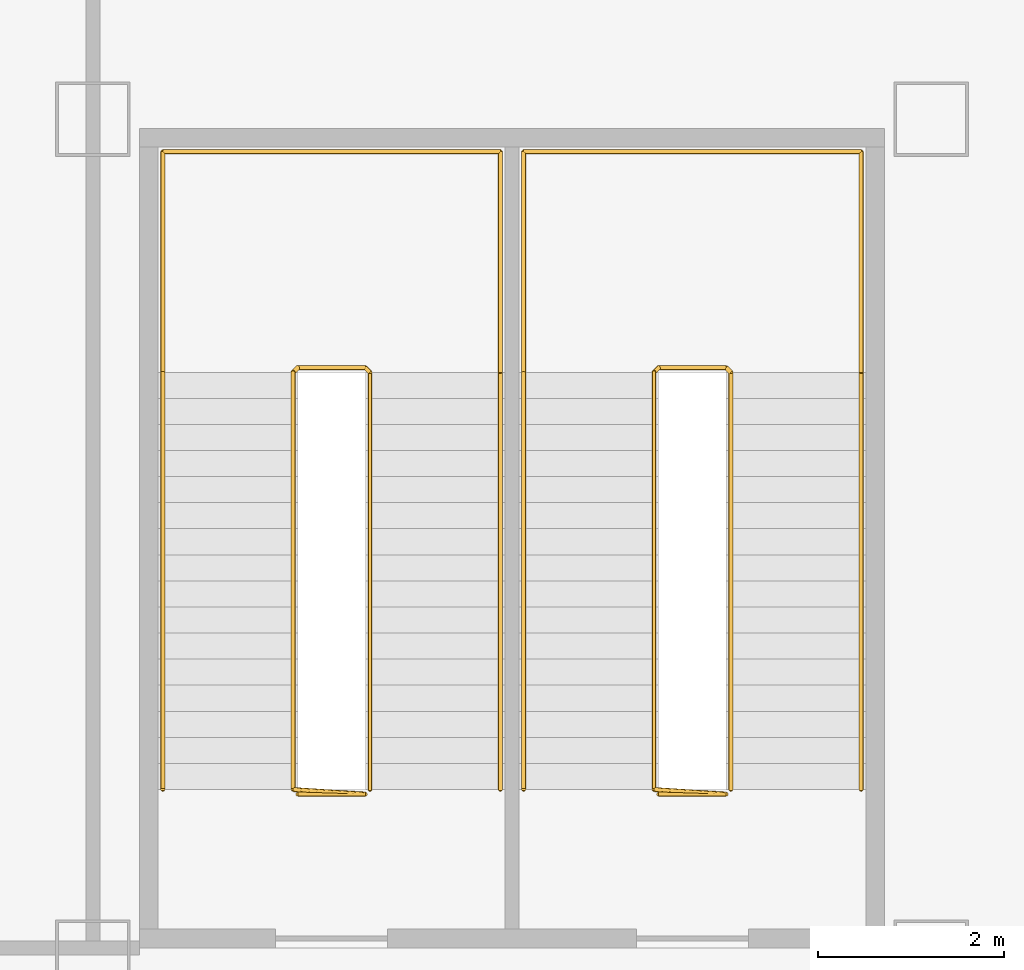
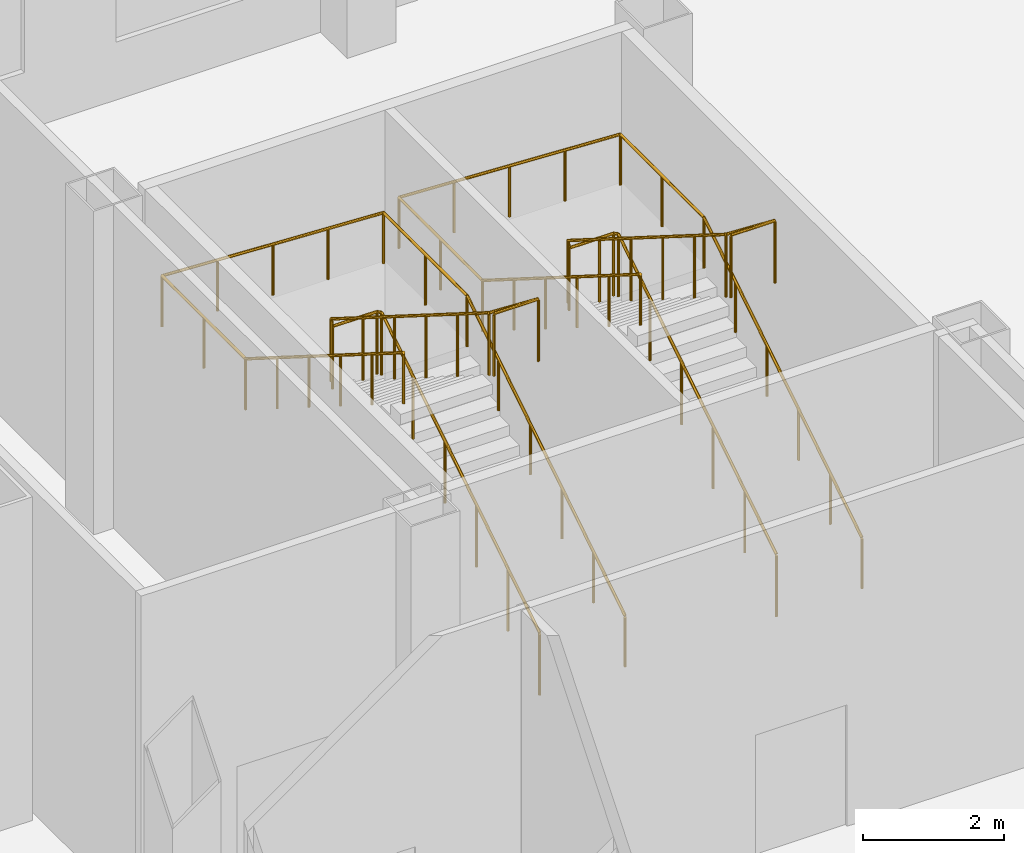
# One storey, part 33 of 33: 4 railings.
"""IFC4 building model written with IfcOpenShell, lengths in metres."""

from ifc_helpers import new_model, si_unit, direction, frame, origin, origin_2d, place, context, subcontext, project, spatial, circle, extrude, material, type_object, element, save


model = new_model("IFC4")

# Units and contexts
model_context = context("Model", 3, precision=1e-05, world=origin(), true_north=direction((0.0, 1.0)))
body_context = subcontext(model_context, "Body", "Model", "MODEL_VIEW")
ifc_project = project(units=[si_unit("LENGTHUNIT", "METRE"), si_unit("AREAUNIT", "SQUARE_METRE"), si_unit("VOLUMEUNIT", "CUBIC_METRE"), si_unit("PLANEANGLEUNIT", "RADIAN"), si_unit("MASSUNIT", "GRAM", prefix="KILO")], contexts=[model_context])

# Site, building, storey
site_placement = place(None, origin())
site = spatial("IfcSite", under=ifc_project, at=site_placement, CompositionType="ELEMENT")
building_placement = place(site_placement, origin())
building = spatial("IfcBuilding", under=site, at=building_placement, Name="Shamsa Quay Exchange Towers", CompositionType="ELEMENT")
storey_placement = place(building_placement, frame((0.0, 0.0, 6.5)))
storey = spatial("IfcBuildingStorey", under=building, at=storey_placement, Name="L01", CompositionType="ELEMENT", Elevation=6.5)

# Railings
ifc_material = material(Name="Stainless steel", Category="steel")
railing_type_1 = type_object("IfcRailingType", Name="STAIR GUARD 1100", PredefinedType="GUARDRAIL", material=ifc_material)
railing_1_placement = place(storey_placement, frame((47.97509765625, 17.550048828125, 0.176513671875)))
element("IfcRailing", 1, at=railing_1_placement, inside=storey, type_object=railing_type_1, Name="L01 PS4A stair guard 1", PredefinedType="GUARDRAIL", context=body_context, shape_type="SweptSolid", body=[
    extrude(circle(Radius=0.02392578125, at=origin_2d()), frame((0.0, 0.0, 1.076171875), z_axis=(0.0, 0.845997938375, 0.533186166611), x_axis=(-1.0, 0.0, 0.0)), (0.0, 0.0, 1.0), 5.29541015625),
    extrude(circle(Radius=0.02392578125, at=origin_2d()), frame((0.0, 4.47998046875, 3.8994140625), z_axis=(-0.707106781187, 0.707106781187, 0.0), x_axis=(-0.707106781187, -0.707106781187, 0.0)), (0.0, 0.0, 1.0), 0.07080078125),
    extrude(circle(Radius=0.02392578125, at=origin_2d()), frame((-0.050048828125, 4.530029296875, 3.8994140625), z_axis=(-1.0, 0.0, 0.0), x_axis=(0.0, -1.0, 0.0)), (0.0, 0.0, 1.0), 0.72509765625),
    extrude(circle(Radius=0.02392578125, at=origin_2d()), frame((-0.775146484375, 4.530029296875, 3.8994140625), z_axis=(-0.263171338983, -0.263171338983, 0.928160380902), x_axis=(0.707106781187, -0.707106781187, 0.0)), (0.0, 0.0, 1.0), 0.190185546875),
    extrude(circle(Radius=0.02392578125, at=origin_2d()), frame((-0.8251953125, 4.47998046875, 4.076171875), z_axis=(0.0, -0.845997938375, 0.533186166611), x_axis=(1.0, 0.0, 0.0)), (0.0, 0.0, 1.0), 5.29541015625),
    extrude(circle(Radius=0.02392578125, at=origin_2d()), frame((-0.8251953125, 0.0, 6.8994140625), z_axis=(0.997922050633, -0.064432762324, 0.0), x_axis=(0.064432762324, 0.997922050633, 0.0)), (0.0, 0.0, 1.0), 0.77685546875),
    extrude(circle(Radius=0.02392578125, at=origin_2d()), frame((-0.050048828125, -0.050048828125, 6.8994140625), z_axis=(-1.0, 0.0, 0.0), x_axis=(0.0, -1.0, 0.0)), (0.0, 0.0, 1.0), 0.72509765625),
    extrude(circle(Radius=0.02099609375, at=origin_2d()), origin(), (0.0, 0.0, 1.0), 1.052001953125),
    extrude(circle(Radius=0.02099609375, at=origin_2d()), frame((0.0, 0.89599609375, 0.564697265625)), (0.0, 0.0, 1.0), 1.052001953125),
    extrude(circle(Radius=0.02099609375, at=origin_2d()), frame((0.0, 1.7919921875, 1.12939453125)), (0.0, 0.0, 1.0), 1.052001953125),
    extrude(circle(Radius=0.02099609375, at=origin_2d()), frame((0.0, 2.68798828125, 1.694091796875)), (0.0, 0.0, 1.0), 1.052001953125),
    extrude(circle(Radius=0.02099609375, at=origin_2d()), frame((0.0, 3.583984375, 2.2587890625)), (0.0, 0.0, 1.0), 1.052001953125),
    extrude(circle(Radius=0.02099609375, at=origin_2d()), frame((0.0, 4.47998046875, 2.823486328125)), (0.0, 0.0, 1.0), 1.052001953125),
    extrude(circle(Radius=0.02099609375, at=origin_2d()), frame((-0.050048828125, 4.530029296875, 2.823486328125)), (0.0, 0.0, 1.0), 1.052001953125),
    extrude(circle(Radius=0.02099609375, at=origin_2d()), frame((-0.775146484375, 4.530029296875, 2.823486328125)), (0.0, 0.0, 1.0), 1.052001953125),
    extrude(circle(Radius=0.02099609375, at=origin_2d()), frame((-0.8251953125, 4.47998046875, 3.0)), (0.0, 0.0, 1.0), 1.052001953125),
    extrude(circle(Radius=0.02099609375, at=origin_2d()), frame((-0.8251953125, 3.583984375, 3.564697265625)), (0.0, 0.0, 1.0), 1.052001953125),
    extrude(circle(Radius=0.02099609375, at=origin_2d()), frame((-0.8251953125, 2.68798828125, 4.12939453125)), (0.0, 0.0, 1.0), 1.052001953125),
    extrude(circle(Radius=0.02099609375, at=origin_2d()), frame((-0.8251953125, 1.7919921875, 4.694091796875)), (0.0, 0.0, 1.0), 1.052001953125),
    extrude(circle(Radius=0.02099609375, at=origin_2d()), frame((-0.8251953125, 0.89599609375, 5.2587890625)), (0.0, 0.0, 1.0), 1.052001953125),
    extrude(circle(Radius=0.02099609375, at=origin_2d()), frame((-0.8251953125, 0.0, 5.823486328125)), (0.0, 0.0, 1.0), 1.052001953125),
    extrude(circle(Radius=0.02099609375, at=origin_2d()), frame((-0.050048828125, -0.050048828125, 5.823486328125)), (0.0, 0.0, 1.0), 1.052001953125),
    extrude(circle(Radius=0.02099609375, at=origin_2d()), frame((-0.775146484375, -0.050048828125, 5.823486328125)), (0.0, 0.0, 1.0), 1.052001953125),
])
railing_2_placement = place(storey_placement, frame((51.85009765625, 17.550048828125, 0.176513671875)))
element("IfcRailing", 2, at=railing_2_placement, inside=storey, type_object=railing_type_1, Name="L01 PS4B stair guard 1", PredefinedType="GUARDRAIL", context=body_context, shape_type="SweptSolid", body=[
    extrude(circle(Radius=0.02392578125, at=origin_2d()), frame((0.0, 0.0, 1.076171875), z_axis=(0.0, 0.845997938375, 0.533186166611), x_axis=(-1.0, 0.0, 0.0)), (0.0, 0.0, 1.0), 5.29541015625),
    extrude(circle(Radius=0.02392578125, at=origin_2d()), frame((0.0, 4.47998046875, 3.8994140625), z_axis=(-0.707106781187, 0.707106781187, 0.0), x_axis=(-0.707106781187, -0.707106781187, 0.0)), (0.0, 0.0, 1.0), 0.07080078125),
    extrude(circle(Radius=0.02392578125, at=origin_2d()), frame((-0.050048828125, 4.530029296875, 3.8994140625), z_axis=(-1.0, 0.0, 0.0), x_axis=(0.0, -1.0, 0.0)), (0.0, 0.0, 1.0), 0.72509765625),
    extrude(circle(Radius=0.02392578125, at=origin_2d()), frame((-0.775146484375, 4.530029296875, 3.8994140625), z_axis=(-0.263171338983, -0.263171338983, 0.928160380902), x_axis=(0.707106781187, -0.707106781187, 0.0)), (0.0, 0.0, 1.0), 0.190185546875),
    extrude(circle(Radius=0.02392578125, at=origin_2d()), frame((-0.8251953125, 4.47998046875, 4.076171875), z_axis=(0.0, -0.845997938375, 0.533186166611), x_axis=(1.0, 0.0, 0.0)), (0.0, 0.0, 1.0), 5.29541015625),
    extrude(circle(Radius=0.02392578125, at=origin_2d()), frame((-0.8251953125, 0.0, 6.8994140625), z_axis=(0.997922050633, -0.064432762324, 0.0), x_axis=(0.064432762324, 0.997922050633, 0.0)), (0.0, 0.0, 1.0), 0.77685546875),
    extrude(circle(Radius=0.02392578125, at=origin_2d()), frame((-0.050048828125, -0.050048828125, 6.8994140625), z_axis=(-1.0, 0.0, 0.0), x_axis=(0.0, -1.0, 0.0)), (0.0, 0.0, 1.0), 0.72509765625),
    extrude(circle(Radius=0.02099609375, at=origin_2d()), origin(), (0.0, 0.0, 1.0), 1.052001953125),
    extrude(circle(Radius=0.02099609375, at=origin_2d()), frame((0.0, 0.89599609375, 0.564697265625)), (0.0, 0.0, 1.0), 1.052001953125),
    extrude(circle(Radius=0.02099609375, at=origin_2d()), frame((0.0, 1.7919921875, 1.12939453125)), (0.0, 0.0, 1.0), 1.052001953125),
    extrude(circle(Radius=0.02099609375, at=origin_2d()), frame((0.0, 2.68798828125, 1.694091796875)), (0.0, 0.0, 1.0), 1.052001953125),
    extrude(circle(Radius=0.02099609375, at=origin_2d()), frame((0.0, 3.583984375, 2.2587890625)), (0.0, 0.0, 1.0), 1.052001953125),
    extrude(circle(Radius=0.02099609375, at=origin_2d()), frame((0.0, 4.47998046875, 2.823486328125)), (0.0, 0.0, 1.0), 1.052001953125),
    extrude(circle(Radius=0.02099609375, at=origin_2d()), frame((-0.050048828125, 4.530029296875, 2.823486328125)), (0.0, 0.0, 1.0), 1.052001953125),
    extrude(circle(Radius=0.02099609375, at=origin_2d()), frame((-0.775146484375, 4.530029296875, 2.823486328125)), (0.0, 0.0, 1.0), 1.052001953125),
    extrude(circle(Radius=0.02099609375, at=origin_2d()), frame((-0.8251953125, 4.47998046875, 3.0)), (0.0, 0.0, 1.0), 1.052001953125),
    extrude(circle(Radius=0.02099609375, at=origin_2d()), frame((-0.8251953125, 3.583984375, 3.564697265625)), (0.0, 0.0, 1.0), 1.052001953125),
    extrude(circle(Radius=0.02099609375, at=origin_2d()), frame((-0.8251953125, 2.68798828125, 4.12939453125)), (0.0, 0.0, 1.0), 1.052001953125),
    extrude(circle(Radius=0.02099609375, at=origin_2d()), frame((-0.8251953125, 1.7919921875, 4.694091796875)), (0.0, 0.0, 1.0), 1.052001953125),
    extrude(circle(Radius=0.02099609375, at=origin_2d()), frame((-0.8251953125, 0.89599609375, 5.2587890625)), (0.0, 0.0, 1.0), 1.052001953125),
    extrude(circle(Radius=0.02099609375, at=origin_2d()), frame((-0.8251953125, 0.0, 5.823486328125)), (0.0, 0.0, 1.0), 1.052001953125),
    extrude(circle(Radius=0.02099609375, at=origin_2d()), frame((-0.050048828125, -0.050048828125, 5.823486328125)), (0.0, 0.0, 1.0), 1.052001953125),
    extrude(circle(Radius=0.02099609375, at=origin_2d()), frame((-0.775146484375, -0.050048828125, 5.823486328125)), (0.0, 0.0, 1.0), 1.052001953125),
])
railing_type_2 = type_object("IfcRailingType", Name="STAIR HANDRAIL 900", PredefinedType="HANDRAIL", material=ifc_material)
railing_3_placement = place(storey_placement, frame((49.375, 17.550048828125, 0.176513671875)))
element("IfcRailing", 3, at=railing_3_placement, inside=storey, type_object=railing_type_2, Name="L01 PS4A stair handrail 1", PredefinedType="HANDRAIL", context=body_context, shape_type="SweptSolid", body=[
    extrude(circle(Radius=0.02392578125, at=origin_2d()), frame((0.0, 0.0, 0.8759765625), z_axis=(0.0, 0.845997938375, 0.533186166611), x_axis=(-1.0, 0.0, 0.0)), (0.0, 0.0, 1.0), 5.29541015625),
    extrude(circle(Radius=0.02392578125, at=origin_2d()), frame((0.0, 4.47998046875, 3.69921875), z_axis=(0.0, 1.0, 0.0), x_axis=(-1.0, 0.0, 0.0)), (0.0, 0.0, 1.0), 2.369873046875),
    extrude(circle(Radius=0.02392578125, at=origin_2d()), frame((0.0, 6.849853515625, 3.69921875), z_axis=(-0.998816579144, 0.0, 0.048635801907), x_axis=(0.0, -1.0, 0.0)), (0.0, 0.0, 1.0), 3.62939453125),
    extrude(circle(Radius=0.02392578125, at=origin_2d()), frame((-3.625, 6.849853515625, 3.8759765625), z_axis=(0.0, -1.0, 0.0), x_axis=(1.0, 0.0, 0.0)), (0.0, 0.0, 1.0), 2.369873046875),
    extrude(circle(Radius=0.02392578125, at=origin_2d()), frame((-3.625, 4.47998046875, 3.8759765625), z_axis=(0.0, -0.845997938375, 0.533186166611), x_axis=(1.0, 0.0, 0.0)), (0.0, 0.0, 1.0), 5.29541015625),
    extrude(circle(Radius=0.02099609375, at=origin_2d()), origin(), (0.0, 0.0, 1.0), 0.851806640625),
    extrude(circle(Radius=0.02099609375, at=origin_2d()), frame((0.0, 0.89599609375, 0.564697265625)), (0.0, 0.0, 1.0), 0.851806640625),
    extrude(circle(Radius=0.02099609375, at=origin_2d()), frame((0.0, 1.7919921875, 1.12939453125)), (0.0, 0.0, 1.0), 0.851806640625),
    extrude(circle(Radius=0.02099609375, at=origin_2d()), frame((0.0, 2.68798828125, 1.694091796875)), (0.0, 0.0, 1.0), 0.851806640625),
    extrude(circle(Radius=0.02099609375, at=origin_2d()), frame((0.0, 3.583984375, 2.2587890625)), (0.0, 0.0, 1.0), 0.851806640625),
    extrude(circle(Radius=0.02099609375, at=origin_2d()), frame((0.0, 4.47998046875, 2.823486328125)), (0.0, 0.0, 1.0), 0.851806640625),
    extrude(circle(Radius=0.02099609375, at=origin_2d()), frame((0.0, 5.6650390625, 2.823486328125)), (0.0, 0.0, 1.0), 0.851806640625),
    extrude(circle(Radius=0.02099609375, at=origin_2d()), frame((0.0, 6.849853515625, 2.823486328125)), (0.0, 0.0, 1.0), 0.851806640625),
    extrude(circle(Radius=0.02099609375, at=origin_2d()), frame((-0.90625, 6.849853515625, 2.86767578125)), (0.0, 0.0, 1.0), 0.851806640625),
    extrude(circle(Radius=0.02099609375, at=origin_2d()), frame((-1.8125, 6.849853515625, 2.91162109375)), (0.0, 0.0, 1.0), 0.851806640625),
    extrude(circle(Radius=0.02099609375, at=origin_2d()), frame((-2.71875, 6.849853515625, 2.955810546875)), (0.0, 0.0, 1.0), 0.851806640625),
    extrude(circle(Radius=0.02099609375, at=origin_2d()), frame((-3.625, 6.849853515625, 3.0)), (0.0, 0.0, 1.0), 0.851806640625),
    extrude(circle(Radius=0.02099609375, at=origin_2d()), frame((-3.625, 5.6650390625, 3.0)), (0.0, 0.0, 1.0), 0.851806640625),
    extrude(circle(Radius=0.02099609375, at=origin_2d()), frame((-3.625, 4.47998046875, 3.0)), (0.0, 0.0, 1.0), 0.851806640625),
    extrude(circle(Radius=0.02099609375, at=origin_2d()), frame((-3.625, 3.583984375, 3.564697265625)), (0.0, 0.0, 1.0), 0.851806640625),
    extrude(circle(Radius=0.02099609375, at=origin_2d()), frame((-3.625, 2.68798828125, 4.12939453125)), (0.0, 0.0, 1.0), 0.851806640625),
    extrude(circle(Radius=0.02099609375, at=origin_2d()), frame((-3.625, 1.7919921875, 4.694091796875)), (0.0, 0.0, 1.0), 0.851806640625),
    extrude(circle(Radius=0.02099609375, at=origin_2d()), frame((-3.625, 0.89599609375, 5.2587890625)), (0.0, 0.0, 1.0), 0.851806640625),
    extrude(circle(Radius=0.02099609375, at=origin_2d()), frame((-3.625, 0.0, 5.823486328125)), (0.0, 0.0, 1.0), 0.851806640625),
])
railing_4_placement = place(storey_placement, frame((53.25, 17.550048828125, 0.176513671875)))
element("IfcRailing", 4, at=railing_4_placement, inside=storey, type_object=railing_type_2, Name="L01 PS4B stair handrail 1", PredefinedType="HANDRAIL", context=body_context, shape_type="SweptSolid", body=[
    extrude(circle(Radius=0.02392578125, at=origin_2d()), frame((0.0, 0.0, 0.8759765625), z_axis=(0.0, 0.845997938375, 0.533186166611), x_axis=(-1.0, 0.0, 0.0)), (0.0, 0.0, 1.0), 5.29541015625),
    extrude(circle(Radius=0.02392578125, at=origin_2d()), frame((0.0, 4.47998046875, 3.69921875), z_axis=(0.0, 1.0, 0.0), x_axis=(-1.0, 0.0, 0.0)), (0.0, 0.0, 1.0), 2.369873046875),
    extrude(circle(Radius=0.02392578125, at=origin_2d()), frame((0.0, 6.849853515625, 3.69921875), z_axis=(-0.998816579144, 0.0, 0.048635801907), x_axis=(0.0, -1.0, 0.0)), (0.0, 0.0, 1.0), 3.62939453125),
    extrude(circle(Radius=0.02392578125, at=origin_2d()), frame((-3.625, 6.849853515625, 3.8759765625), z_axis=(0.0, -1.0, 0.0), x_axis=(1.0, 0.0, 0.0)), (0.0, 0.0, 1.0), 2.369873046875),
    extrude(circle(Radius=0.02392578125, at=origin_2d()), frame((-3.625, 4.47998046875, 3.8759765625), z_axis=(0.0, -0.845997938375, 0.533186166611), x_axis=(1.0, 0.0, 0.0)), (0.0, 0.0, 1.0), 5.29541015625),
    extrude(circle(Radius=0.02099609375, at=origin_2d()), origin(), (0.0, 0.0, 1.0), 0.851806640625),
    extrude(circle(Radius=0.02099609375, at=origin_2d()), frame((0.0, 0.89599609375, 0.564697265625)), (0.0, 0.0, 1.0), 0.851806640625),
    extrude(circle(Radius=0.02099609375, at=origin_2d()), frame((0.0, 1.7919921875, 1.12939453125)), (0.0, 0.0, 1.0), 0.851806640625),
    extrude(circle(Radius=0.02099609375, at=origin_2d()), frame((0.0, 2.68798828125, 1.694091796875)), (0.0, 0.0, 1.0), 0.851806640625),
    extrude(circle(Radius=0.02099609375, at=origin_2d()), frame((0.0, 3.583984375, 2.2587890625)), (0.0, 0.0, 1.0), 0.851806640625),
    extrude(circle(Radius=0.02099609375, at=origin_2d()), frame((0.0, 4.47998046875, 2.823486328125)), (0.0, 0.0, 1.0), 0.851806640625),
    extrude(circle(Radius=0.02099609375, at=origin_2d()), frame((0.0, 5.6650390625, 2.823486328125)), (0.0, 0.0, 1.0), 0.851806640625),
    extrude(circle(Radius=0.02099609375, at=origin_2d()), frame((0.0, 6.849853515625, 2.823486328125)), (0.0, 0.0, 1.0), 0.851806640625),
    extrude(circle(Radius=0.02099609375, at=origin_2d()), frame((-0.90625, 6.849853515625, 2.86767578125)), (0.0, 0.0, 1.0), 0.851806640625),
    extrude(circle(Radius=0.02099609375, at=origin_2d()), frame((-1.8125, 6.849853515625, 2.91162109375)), (0.0, 0.0, 1.0), 0.851806640625),
    extrude(circle(Radius=0.02099609375, at=origin_2d()), frame((-2.71875, 6.849853515625, 2.955810546875)), (0.0, 0.0, 1.0), 0.851806640625),
    extrude(circle(Radius=0.02099609375, at=origin_2d()), frame((-3.625, 6.849853515625, 3.0)), (0.0, 0.0, 1.0), 0.851806640625),
    extrude(circle(Radius=0.02099609375, at=origin_2d()), frame((-3.625, 5.6650390625, 3.0)), (0.0, 0.0, 1.0), 0.851806640625),
    extrude(circle(Radius=0.02099609375, at=origin_2d()), frame((-3.625, 4.47998046875, 3.0)), (0.0, 0.0, 1.0), 0.851806640625),
    extrude(circle(Radius=0.02099609375, at=origin_2d()), frame((-3.625, 3.583984375, 3.564697265625)), (0.0, 0.0, 1.0), 0.851806640625),
    extrude(circle(Radius=0.02099609375, at=origin_2d()), frame((-3.625, 2.68798828125, 4.12939453125)), (0.0, 0.0, 1.0), 0.851806640625),
    extrude(circle(Radius=0.02099609375, at=origin_2d()), frame((-3.625, 1.7919921875, 4.694091796875)), (0.0, 0.0, 1.0), 0.851806640625),
    extrude(circle(Radius=0.02099609375, at=origin_2d()), frame((-3.625, 0.89599609375, 5.2587890625)), (0.0, 0.0, 1.0), 0.851806640625),
    extrude(circle(Radius=0.02099609375, at=origin_2d()), frame((-3.625, 0.0, 5.823486328125)), (0.0, 0.0, 1.0), 0.851806640625),
])

save(model, "model.ifc")
